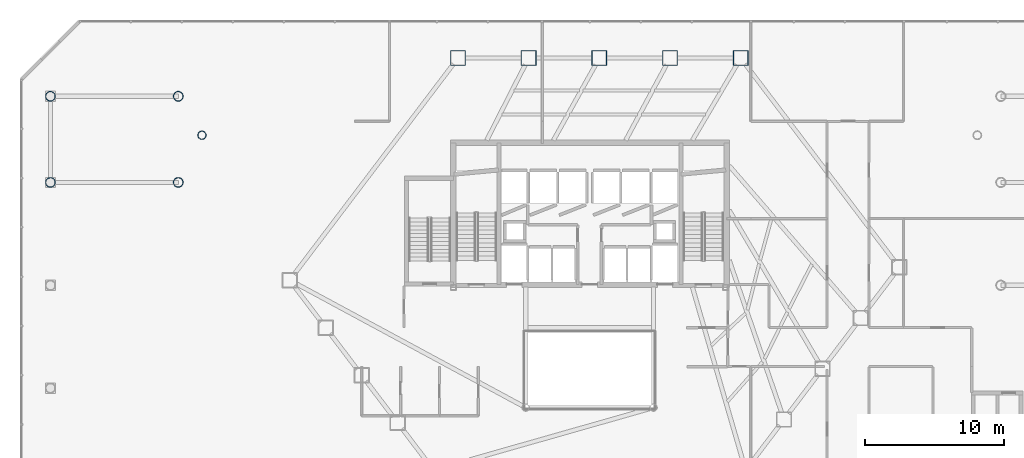
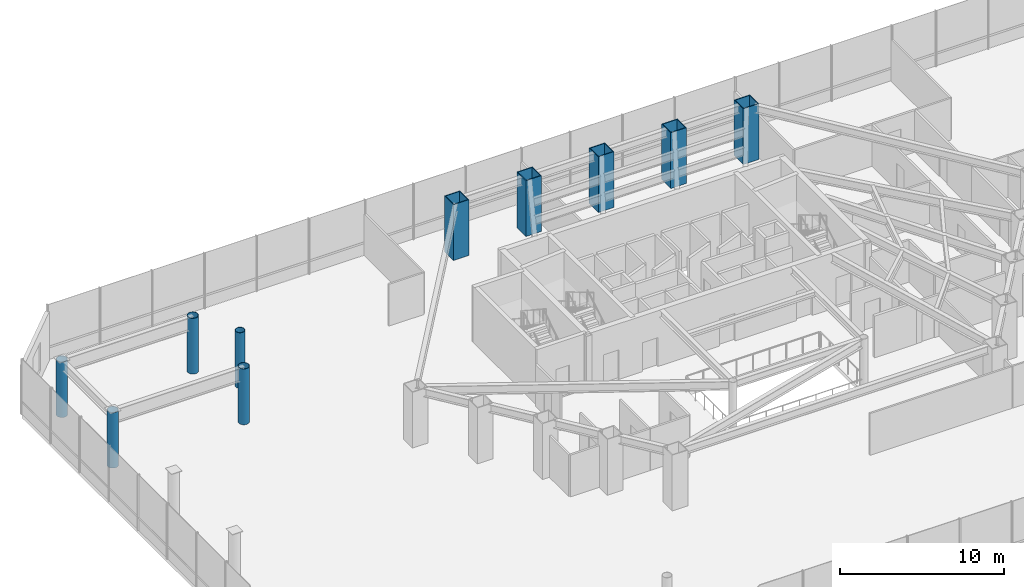
# One storey, part 3 of 43: 10 columns.
"""IFC4 building model written with IfcOpenShell, lengths in metres."""

import ifcopenshell
import ifcopenshell.guid

model = None  # the IFC model being written
_history = None  # IfcOwnerHistory: only IFC2X3 demands one
_inside = {}  # id of a spatial element -> (the spatial element, [elements in it])
_under = {}  # id of a project, library or spatial element -> (it, [spatial elements below it])
_declared = {}  # id of a project -> (the project, [libraries it declares])
_typed = {}  # id of a type object -> (the type object, [elements of that type])
_made_of = {}  # id of a material, layer set ... -> (it, [elements and type objects made of it])


def new_model(schema):
    """Start an empty IFC model of exactly this schema.

    Asked for "IFC4X3", IfcOpenShell would pick the latest addendum, in which some entities
    have other attributes; the version numbers below select the first issue.
    IFC2X3 requires an IfcOwnerHistory on every rooted entity: one is made here for all.
    """
    global model, _history
    if schema == "IFC4X3":
        model = ifcopenshell.file(schema_version=(4, 3, 0, 0))
    else:
        model = ifcopenshell.file(schema=schema)
    _inside.clear()
    _under.clear()
    _declared.clear()
    _typed.clear()
    _made_of.clear()
    _history = None
    if model.schema == "IFC2X3":
        org = make("IfcOrganization", Name="unknown")
        user = make(
            "IfcPersonAndOrganization",
            ThePerson=make("IfcPerson", FamilyName="unknown"),
            TheOrganization=org,
        )
        app = make(
            "IfcApplication",
            ApplicationDeveloper=org,
            Version="unknown",
            ApplicationFullName="unknown",
            ApplicationIdentifier="unknown",
        )
        _history = make(
            "IfcOwnerHistory",
            OwningUser=user,
            OwningApplication=app,
            ChangeAction="ADDED",
            CreationDate=0,
        )
    return model


def make(cls, **values):
    """One entity of the class cls with the attributes given. An attribute that is None is left unset."""
    return model.create_entity(
        cls, **{name: value for name, value in values.items() if value is not None}
    )


def rooted(cls, **values):
    """An entity with a GlobalId (a new one), such as an element, a storey or a relation."""
    return make(cls, GlobalId=ifcopenshell.guid.new(), OwnerHistory=_history, **values)


def si_unit(unit_type, name, prefix=None):
    """IfcSIUnit, for example si_unit("LENGTHUNIT", "METRE", prefix="MILLI")."""
    return make("IfcSIUnit", UnitType=unit_type, Prefix=prefix, Name=name)


def assignment(units):
    """IfcUnitAssignment: the units of a project."""
    return None if units is None else make("IfcUnitAssignment", Units=units)


def point(xyz):
    """IfcCartesianPoint."""
    return None if xyz is None else make("IfcCartesianPoint", Coordinates=xyz)


def direction(xyz):
    """IfcDirection."""
    return None if xyz is None else make("IfcDirection", DirectionRatios=xyz)


def frame(location, z_axis=None, x_axis=None):
    """IfcAxis2Placement3D, a coordinate frame: its origin and axes. An axis left out is left unset."""
    return make(
        "IfcAxis2Placement3D",
        Location=point(location),
        Axis=direction(z_axis),
        RefDirection=direction(x_axis),
    )


def frame_2d(location, x_axis=None):
    """IfcAxis2Placement2D, a coordinate frame in the plane: its origin and x axis."""
    return make(
        "IfcAxis2Placement2D", Location=point(location), RefDirection=direction(x_axis)
    )


def origin():
    """The frame at (0, 0, 0) with its axes left unset."""
    return frame((0.0, 0.0, 0.0))


def origin_2d():
    """The frame at (0, 0) in the plane with its x axis left unset."""
    return frame_2d((0.0, 0.0))


def place(relative_to, where):
    """IfcLocalPlacement: puts the frame where relative to a parent placement (None: the world)."""
    return make(
        "IfcLocalPlacement", PlacementRelTo=relative_to, RelativePlacement=where
    )


def context(
    kind, dimensions, precision=None, world=None, true_north=None, identifier=None
):
    """IfcGeometricRepresentationContext, for example the 3D "Model" context."""
    return make(
        "IfcGeometricRepresentationContext",
        ContextIdentifier=identifier,
        ContextType=kind,
        CoordinateSpaceDimension=dimensions,
        Precision=precision,
        WorldCoordinateSystem=world,
        TrueNorth=true_north,
    )


def subcontext(parent, identifier, kind, view, scale=None):
    """IfcGeometricRepresentationSubContext, for example "Body" below "Model"."""
    return make(
        "IfcGeometricRepresentationSubContext",
        ContextIdentifier=identifier,
        ContextType=kind,
        ParentContext=parent,
        TargetScale=scale,
        TargetView=view,
    )


def project(units=None, contexts=None):
    """IfcProject with its units and contexts."""
    return rooted(
        "IfcProject",
        Name="project",
        RepresentationContexts=contexts,
        UnitsInContext=assignment(units),
    )


def spatial(cls, under=None, at=None, **own):
    """A site, building, storey or space (cls), placed at a placement, below another one or the project."""
    s = rooted(cls, ObjectPlacement=at, **own)
    if under is not None:
        _under.setdefault(under.id(), (under, []))[1].append(s)
    return s


def profile(cls, at=None, kind="AREA", **sizes):
    """A parametric profile (cls). Its sizes go by their IFC names, for example OverallWidth=200.0."""
    return make(cls, ProfileType=kind, Position=at, **sizes)


def hollow_rectangle(**sizes):
    """IfcRectangleHollowProfileDef."""
    return profile("IfcRectangleHollowProfileDef", **sizes)


def hollow_circle(**sizes):
    """IfcCircleHollowProfileDef."""
    return profile("IfcCircleHollowProfileDef", **sizes)


def extrude(swept, where, along, depth):
    """IfcExtrudedAreaSolid: the profile swept, set in the frame where, extruded along a direction by depth."""
    return make(
        "IfcExtrudedAreaSolid",
        SweptArea=swept,
        Position=where,
        ExtrudedDirection=direction(along),
        Depth=depth,
    )


def shape(context_of_items, identifier, shape_type, items):
    """IfcShapeRepresentation: the items that make up one representation, for example the "Body"."""
    return make(
        "IfcShapeRepresentation",
        ContextOfItems=context_of_items,
        RepresentationIdentifier=identifier,
        RepresentationType=shape_type,
        Items=items,
    )


def material(Name=None, Category=None):
    """IfcMaterial."""
    return make("IfcMaterial", Name=Name, Category=Category)


def material_profile(
    of_material, cross_section, Name=None, Category=None, Priority=None
):
    """IfcMaterialProfile: a cross section and its material."""
    return make(
        "IfcMaterialProfile",
        Name=Name,
        Material=of_material,
        Profile=cross_section,
        Priority=Priority,
        Category=Category,
    )


def profile_set(profiles, Name=None, composite=None):
    """IfcMaterialProfileSet."""
    return make(
        "IfcMaterialProfileSet",
        Name=Name,
        MaterialProfiles=profiles,
        CompositeProfile=composite,
    )


def made_of(thing, what):
    """Note that an element or type object is made of a material, layer set ...; save() writes the relation."""
    if what is not None:
        _made_of.setdefault(what.id(), (what, []))[1].append(thing)
    return thing


def type_object(cls, material=None, **own):
    """A type object (cls), such as IfcWallType, which elements share."""
    return made_of(rooted(cls, **own), material)


def element(
    cls,
    number,
    at=None,
    inside=None,
    cuts=None,
    type_object=None,
    material=None,
    context=None,
    identifier="Body",
    shape_type=None,
    held_by="IfcProductDefinitionShape",
    body=None,
    shapes=None,
    **own,
):
    """One element of the class cls, such as IfcWall. Its Tag is "e" and its number.

    at: its placement. inside: the storey or other place that contains it. cuts: it is an
    opening in that element (IfcRelVoidsElement). A single representation is given by context,
    identifier, shape_type and body (its items); several are given by shapes. held_by: the class
    of the entity that holds the representations. save() writes the other relations.
    """
    e = rooted(cls, Tag="e%d" % number, ObjectPlacement=at, **own)
    if body is not None:
        shapes = [shape(context, identifier, shape_type, body)]
    if shapes is not None:
        e.Representation = make(held_by, Representations=shapes)
    if inside is not None:
        _inside.setdefault(inside.id(), (inside, []))[1].append(e)
    if cuts is not None:
        rooted(
            "IfcRelVoidsElement", RelatingBuildingElement=cuts, RelatedOpeningElement=e
        )
    if type_object is not None:
        _typed.setdefault(type_object.id(), (type_object, []))[1].append(e)
    return made_of(e, material)


def aggregate(whole, parts):
    """IfcRelAggregates: a whole, such as a stair, and the parts it consists of."""
    return rooted("IfcRelAggregates", RelatingObject=whole, RelatedObjects=parts)


def save(model, path):
    """Write the relations noted so far, then the file.

    IfcRelAggregates (storeys below a building ...), IfcRelContainedInSpatialStructure (elements
    in a storey), IfcRelDefinesByType, IfcRelAssociatesMaterial and IfcRelDeclares: one each for
    every whole, place, type object, material and project.
    """
    for whole, parts in _under.values():
        aggregate(whole, parts)
    for where, things in _inside.values():
        rooted(
            "IfcRelContainedInSpatialStructure",
            RelatedElements=things,
            RelatingStructure=where,
        )
    for kind, things in _typed.values():
        rooted("IfcRelDefinesByType", RelatedObjects=things, RelatingType=kind)
    for what, things in _made_of.values():
        rooted("IfcRelAssociatesMaterial", RelatedObjects=things, RelatingMaterial=what)
    for by, libraries in _declared.values():
        rooted("IfcRelDeclares", RelatingContext=by, RelatedDefinitions=libraries)
    model.write(path)


model = new_model("IFC4")

# Units and contexts
model_context = context("Model", 3, precision=1e-05, world=origin(), true_north=direction((0.0, 1.0)))
body_context = subcontext(model_context, "Body", "Model", "MODEL_VIEW")
ifc_project = project(units=[si_unit("LENGTHUNIT", "METRE"), si_unit("AREAUNIT", "SQUARE_METRE"), si_unit("VOLUMEUNIT", "CUBIC_METRE"), si_unit("PLANEANGLEUNIT", "RADIAN"), si_unit("MASSUNIT", "GRAM", prefix="KILO")], contexts=[model_context])

# Site, building, storey
site_placement = place(None, origin())
site = spatial("IfcSite", under=ifc_project, at=site_placement, CompositionType="ELEMENT")
building_placement = place(site_placement, origin())
building = spatial("IfcBuilding", under=site, at=building_placement, Name="Zarrinselat Tower", CompositionType="ELEMENT")
storey_placement = place(building_placement, frame((0.0, 0.0, 5.10009765625)))
storey = spatial("IfcBuildingStorey", under=building, at=storey_placement, Name="L01", CompositionType="ELEMENT", Elevation=5.10009765625)

# Columns
ifc_material_1 = material(Name="Steel S355J2", Category="steel")
ifc_material_profile_1 = material_profile(ifc_material_1, hollow_circle(Radius=0.304931640625, WallThickness=0.02490234375, at=origin_2d()), Name="CHS 610x25")
ifc_profile_set_1 = profile_set([ifc_material_profile_1], Name="Steel S355J2")
column_type_1 = type_object("IfcColumnType", Name="COL-CHS610", PredefinedType="COLUMN", material=ifc_profile_set_1)
column_1_placement = place(storey_placement, frame((10.5, 44.0, 0.0), z_axis=(0.0, 0.0, 1.0), x_axis=(1.0, 0.0, 0.0)))
element("IfcColumn", 1, at=column_1_placement, inside=storey, type_object=column_type_1, Name="L01 Garden Deck Support Column 3", PredefinedType="COLUMN", context=body_context, shape_type="SweptSolid", body=[
    extrude(hollow_circle(Radius=0.304931640625, WallThickness=0.02490234375, at=origin_2d()), origin(), (0.0, 0.0, 1.0), 4.139892578125),
])
ifc_material_2 = material(Name="Steel S460M", Category="steel")
ifc_material_profile_2 = material_profile(ifc_material_2, hollow_circle(Radius=0.35546875, WallThickness=0.030029296875, at=origin_2d()), Name="CHS 711x30")
ifc_profile_set_2 = profile_set([ifc_material_profile_2], Name="Steel S460M")
column_type_2 = type_object("IfcColumnType", Name="COL-CHS711", PredefinedType="COLUMN", material=ifc_profile_set_2)
column_2_placement = place(storey_placement, frame((-0.39990234375, 40.60009765625, 0.0), z_axis=(0.0, 0.0, 1.0), x_axis=(1.0, 0.0, 0.0)))
element("IfcColumn", 2, at=column_2_placement, inside=storey, type_object=column_type_2, Name="L01 Podium Outer Column W-40", PredefinedType="COLUMN", context=body_context, shape_type="SweptSolid", body=[
    extrude(hollow_circle(Radius=0.35546875, WallThickness=0.030029296875, at=origin_2d()), origin(), (0.0, 0.0, 1.0), 4.10986328125),
])
column_3_placement = place(storey_placement, frame((8.800048828125, 40.60009765625, 0.0), z_axis=(0.0, 0.0, 1.0), x_axis=(1.0, 0.0, 0.0)))
element("IfcColumn", 3, at=column_3_placement, inside=storey, type_object=column_type_2, Name="L01 Podium Anchor Column W-40", PredefinedType="COLUMN", context=body_context, shape_type="SweptSolid", body=[
    extrude(hollow_circle(Radius=0.35546875, WallThickness=0.030029296875, at=origin_2d()), origin(), (0.0, 0.0, 1.0), 4.139892578125),
])
column_4_placement = place(storey_placement, frame((-0.39990234375, 46.800048828125, 0.0), z_axis=(0.0, 0.0, 1.0), x_axis=(1.0, 0.0, 0.0)))
element("IfcColumn", 4, at=column_4_placement, inside=storey, type_object=column_type_2, Name="L01 Podium Outer Column W-46", PredefinedType="COLUMN", context=body_context, shape_type="SweptSolid", body=[
    extrude(hollow_circle(Radius=0.35546875, WallThickness=0.030029296875, at=origin_2d()), origin(), (0.0, 0.0, 1.0), 4.10986328125),
])
column_5_placement = place(storey_placement, frame((8.800048828125, 46.800048828125, 0.0), z_axis=(0.0, 0.0, 1.0), x_axis=(1.0, 0.0, 0.0)))
element("IfcColumn", 5, at=column_5_placement, inside=storey, type_object=column_type_2, Name="L01 Podium Anchor Column W-46", PredefinedType="COLUMN", context=body_context, shape_type="SweptSolid", body=[
    extrude(hollow_circle(Radius=0.35546875, WallThickness=0.030029296875, at=origin_2d()), origin(), (0.0, 0.0, 1.0), 4.139892578125),
])
ifc_material_3 = material(Name="Steel S460M", Category="steel")
ifc_material_profile_3 = material_profile(ifc_material_3, hollow_rectangle(XDim=1.10009765625, YDim=1.10009765625, WallThickness=0.054931640625, at=origin_2d()), Name="SHS 1100x1100x55")
ifc_profile_set_3 = profile_set([ifc_material_profile_3], Name="Steel S460M")
column_type_3 = type_object("IfcColumnType", Name="COL-SHS1100", PredefinedType="COLUMN", material=ifc_profile_set_3)
for number, where, z_axis, x_axis, name in (
    (6, (49.277099609375, 49.550048828125, 0.0), (0.0, 0.0, 1.0), (1.0, 0.0, 0.0), "L01 Framed-Tube Column T01"),
    (7, (44.1884765625, 49.550048828125, 0.0), (0.0, 0.0, 1.0), (1.0, 0.0, 0.0), "L01 Framed-Tube Column T02"),
    (8, (39.10009765625, 49.550048828125, 0.0), (0.0, 0.0, 1.0), (1.0, 0.0, 0.0), "L01 Framed-Tube Column T03"),
    (9, (34.011474609375, 49.550048828125, 0.0), (0.0, 0.0, 1.0), (1.0, 0.0, 0.0), "L01 Framed-Tube Column T04"),
    (10, (28.923095703125, 49.550048828125, 0.0), (0.0, 0.0, 1.0), (1.0, 0.0, 0.0), "L01 Framed-Tube Column T05"),
):
    element("IfcColumn", number, at=place(storey_placement, frame(where, z_axis=z_axis, x_axis=x_axis)), inside=storey, type_object=column_type_3, Name=name, PredefinedType="COLUMN", context=body_context, shape_type="SweptSolid", body=[
        extrude(hollow_rectangle(XDim=1.10009765625, YDim=1.10009765625, WallThickness=0.054931640625, at=origin_2d()), origin(), (0.0, 0.0, 1.0), 4.139892578125),
    ])

save(model, "model.ifc")
